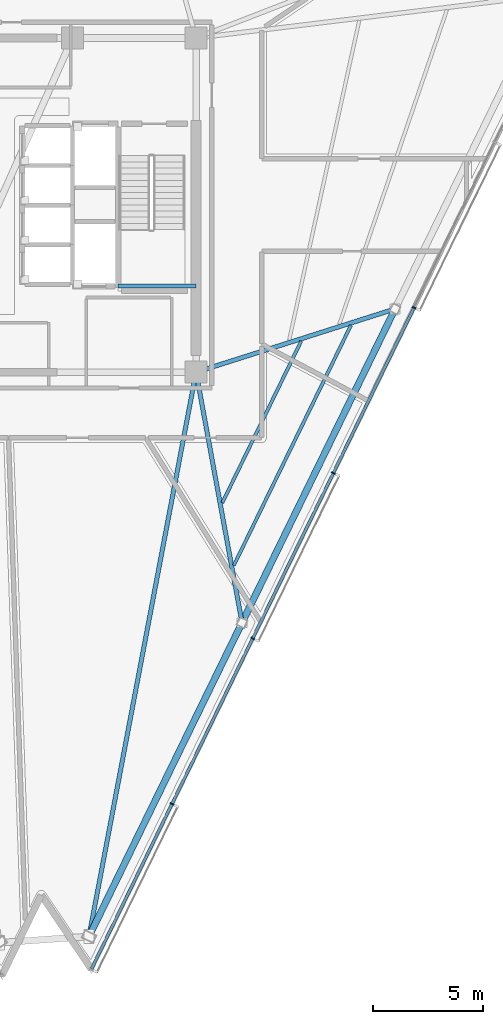
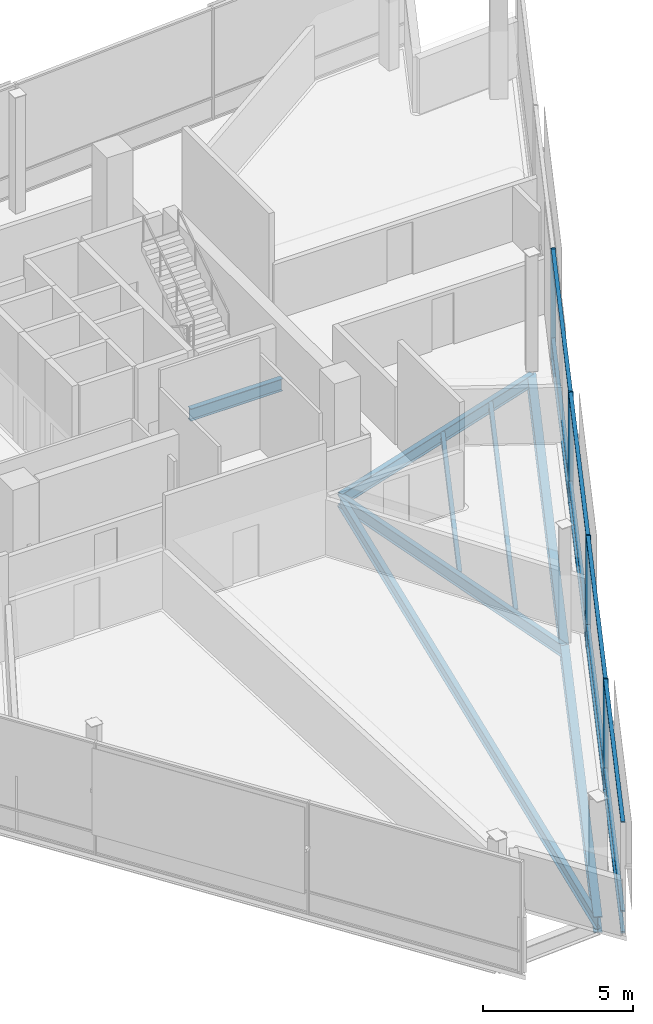
# One storey, part 4 of 16: 16 members, 8 beams, 1 element without a shape of its own.
"""IFC4 building model written with IfcOpenShell, lengths in metres."""

from ifc_helpers import new_model, si_unit, direction, frame, origin, origin_2d, place, context, subcontext, project, spatial, rectangle, i_section, extrude, material, layer, layer_set, material_profile, profile_set, type_object, element, aggregate, save


model = new_model("IFC4")

# Units and contexts
model_context = context("Model", 3, precision=1e-05, world=origin(), true_north=direction((0.0, 1.0)))
body_context = subcontext(model_context, "Body", "Model", "MODEL_VIEW")
ifc_project = project(units=[si_unit("LENGTHUNIT", "METRE"), si_unit("AREAUNIT", "SQUARE_METRE"), si_unit("VOLUMEUNIT", "CUBIC_METRE"), si_unit("PLANEANGLEUNIT", "RADIAN"), si_unit("MASSUNIT", "GRAM", prefix="KILO")], contexts=[model_context])

# Site, building, storey
site_placement = place(None, origin())
site = spatial("IfcSite", under=ifc_project, at=site_placement, CompositionType="ELEMENT")
building_placement = place(site_placement, origin())
building = spatial("IfcBuilding", under=site, at=building_placement, Name="Tharavind Bronze Gate", CompositionType="ELEMENT")
storey_placement = place(building_placement, frame((0.0, 0.0, 275.0)))
storey = spatial("IfcBuildingStorey", under=building, at=storey_placement, Name="L71", CompositionType="ELEMENT", Elevation=275.0)

# Curtain wall, members
ifc_material_1 = material(Name="Anodised Bronze Aluminium", Category="aluminium")
ifc_layer = layer(ifc_material_1, 0.219970703125)
ifc_layer_set = layer_set([ifc_layer], Name="Anodised Bronze Aluminium")
curtain_wall_type = type_object("IfcCurtainWallType", Name="UNITISED CURTAIN WALL UPPER OFFICE", PredefinedType="USERDEFINED", material=ifc_layer_set)
curtain_wall_placement = place(storey_placement, origin())
curtain_wall = element("IfcCurtainWall", 1, at=curtain_wall_placement, inside=storey, type_object=curtain_wall_type, Name="L71 unitised curtain wall upper office CW-L71-S2", ObjectType="UNITISED CURTAIN WALL", PredefinedType="USERDEFINED")
member_type_1 = type_object("IfcMemberType", Name="CURTAIN WALL BRONZE MULLION 65X180", PredefinedType="MULLION", material=ifc_material_1)
member_1_placement = place(storey_placement, frame((7.80419921875, -27.236572265625, 0.0), z_axis=(0.0, 0.0, 1.0), x_axis=(0.43837271548, 0.898793281196, 0.0)))
member_1 = element("IfcMember", 2, at=member_1_placement, type_object=member_type_1, Name="CW-L71-S2 mullion 2", PredefinedType="MULLION", context=body_context, shape_type="SweptSolid", body=[
    extrude(rectangle(XDim=0.06494140625, YDim=0.179931640625, at=origin_2d()), origin(), (0.0, 0.0, 1.0), 4.56005859375),
])
member_2_placement = place(storey_placement, frame((11.474365234375, -19.711669921875, 0.0), z_axis=(0.0, 0.0, 1.0), x_axis=(0.43837271548, 0.898793281196, 0.0)))
member_2 = element("IfcMember", 3, at=member_2_placement, type_object=member_type_1, Name="CW-L71-S2 mullion 3", PredefinedType="MULLION", context=body_context, shape_type="SweptSolid", body=[
    extrude(rectangle(XDim=0.06494140625, YDim=0.179931640625, at=origin_2d()), origin(), (0.0, 0.0, 1.0), 4.56005859375),
])
member_3_placement = place(storey_placement, frame((15.144775390625, -12.1865234375, 0.0), z_axis=(0.0, 0.0, 1.0), x_axis=(0.43837271548, 0.898793281196, 0.0)))
member_3 = element("IfcMember", 4, at=member_3_placement, type_object=member_type_1, Name="CW-L71-S2 mullion 4", PredefinedType="MULLION", context=body_context, shape_type="SweptSolid", body=[
    extrude(rectangle(XDim=0.06494140625, YDim=0.179931640625, at=origin_2d()), origin(), (0.0, 0.0, 1.0), 4.56005859375),
])
member_4_placement = place(storey_placement, frame((18.81494140625, -4.66162109375, 0.0), z_axis=(0.0, 0.0, 1.0), x_axis=(0.43837271548, 0.898793281196, 0.0)))
member_4 = element("IfcMember", 5, at=member_4_placement, type_object=member_type_1, Name="CW-L71-S2 mullion 5", PredefinedType="MULLION", context=body_context, shape_type="SweptSolid", body=[
    extrude(rectangle(XDim=0.06494140625, YDim=0.179931640625, at=origin_2d()), origin(), (0.0, 0.0, 1.0), 4.56005859375),
])
member_type_2 = type_object("IfcMemberType", Name="CURTAIN WALL BRONZE TRANSOM 65X140", PredefinedType="USERDEFINED", material=ifc_material_1)
member_5_placement = place(storey_placement, frame((5.968994140625, -30.9990234375, 0.0), z_axis=(0.0, 0.0, 1.0), x_axis=(0.43837271548, 0.898793281196, 0.0)))
member_5 = element("IfcMember", 6, at=member_5_placement, type_object=member_type_2, Name="CW-L71-S2 transom TB1", ObjectType="TRANSOM", PredefinedType="USERDEFINED", context=body_context, shape_type="SweptSolid", body=[
    extrude(rectangle(XDim=8.3193359375, YDim=0.139892578125, at=origin_2d()), origin(), (0.0, 0.0, 1.0), 0.06494140625),
])
member_6_placement = place(storey_placement, frame((5.968994140625, -30.9990234375, 0.867431640625), z_axis=(0.0, 0.0, 1.0), x_axis=(0.43837271548, 0.898793281196, 0.0)))
member_6 = element("IfcMember", 7, at=member_6_placement, type_object=member_type_2, Name="CW-L71-S2 transom TS1", ObjectType="TRANSOM", PredefinedType="USERDEFINED", context=body_context, shape_type="SweptSolid", body=[
    extrude(rectangle(XDim=8.3193359375, YDim=0.139892578125, at=origin_2d()), origin(), (0.0, 0.0, 1.0), 0.06494140625),
])
member_7_placement = place(storey_placement, frame((5.968994140625, -30.9990234375, 4.4951171875), z_axis=(0.0, 0.0, 1.0), x_axis=(0.43837271548, 0.898793281196, 0.0)))
member_7 = element("IfcMember", 8, at=member_7_placement, type_object=member_type_2, Name="CW-L71-S2 transom TT1", ObjectType="TRANSOM", PredefinedType="USERDEFINED", context=body_context, shape_type="SweptSolid", body=[
    extrude(rectangle(XDim=8.3193359375, YDim=0.139892578125, at=origin_2d()), origin(), (0.0, 0.0, 1.0), 0.06494140625),
])
member_8_placement = place(storey_placement, frame((9.639404296875, -23.47412109375, 0.0), z_axis=(0.0, 0.0, 1.0), x_axis=(0.43837271548, 0.898793281196, 0.0)))
member_8 = element("IfcMember", 9, at=member_8_placement, type_object=member_type_2, Name="CW-L71-S2 transom TB2", ObjectType="TRANSOM", PredefinedType="USERDEFINED", context=body_context, shape_type="SweptSolid", body=[
    extrude(rectangle(XDim=8.3193359375, YDim=0.139892578125, at=origin_2d()), origin(), (0.0, 0.0, 1.0), 0.06494140625),
])
member_9_placement = place(storey_placement, frame((9.639404296875, -23.47412109375, 0.867431640625), z_axis=(0.0, 0.0, 1.0), x_axis=(0.43837271548, 0.898793281196, 0.0)))
member_9 = element("IfcMember", 10, at=member_9_placement, type_object=member_type_2, Name="CW-L71-S2 transom TS2", ObjectType="TRANSOM", PredefinedType="USERDEFINED", context=body_context, shape_type="SweptSolid", body=[
    extrude(rectangle(XDim=8.3193359375, YDim=0.139892578125, at=origin_2d()), origin(), (0.0, 0.0, 1.0), 0.06494140625),
])
member_10_placement = place(storey_placement, frame((9.639404296875, -23.47412109375, 4.4951171875), z_axis=(0.0, 0.0, 1.0), x_axis=(0.43837271548, 0.898793281196, 0.0)))
member_10 = element("IfcMember", 11, at=member_10_placement, type_object=member_type_2, Name="CW-L71-S2 transom TT2", ObjectType="TRANSOM", PredefinedType="USERDEFINED", context=body_context, shape_type="SweptSolid", body=[
    extrude(rectangle(XDim=8.3193359375, YDim=0.139892578125, at=origin_2d()), origin(), (0.0, 0.0, 1.0), 0.06494140625),
])
member_11_placement = place(storey_placement, frame((13.3095703125, -15.94921875, 0.0), z_axis=(0.0, 0.0, 1.0), x_axis=(0.43837271548, 0.898793281196, 0.0)))
member_11 = element("IfcMember", 12, at=member_11_placement, type_object=member_type_2, Name="CW-L71-S2 transom TB3", ObjectType="TRANSOM", PredefinedType="USERDEFINED", context=body_context, shape_type="SweptSolid", body=[
    extrude(rectangle(XDim=8.3193359375, YDim=0.139892578125, at=origin_2d()), origin(), (0.0, 0.0, 1.0), 0.06494140625),
])
member_12_placement = place(storey_placement, frame((13.3095703125, -15.94921875, 0.867431640625), z_axis=(0.0, 0.0, 1.0), x_axis=(0.43837271548, 0.898793281196, 0.0)))
member_12 = element("IfcMember", 13, at=member_12_placement, type_object=member_type_2, Name="CW-L71-S2 transom TS3", ObjectType="TRANSOM", PredefinedType="USERDEFINED", context=body_context, shape_type="SweptSolid", body=[
    extrude(rectangle(XDim=8.3193359375, YDim=0.139892578125, at=origin_2d()), origin(), (0.0, 0.0, 1.0), 0.06494140625),
])
member_13_placement = place(storey_placement, frame((13.3095703125, -15.94921875, 4.4951171875), z_axis=(0.0, 0.0, 1.0), x_axis=(0.43837271548, 0.898793281196, 0.0)))
member_13 = element("IfcMember", 14, at=member_13_placement, type_object=member_type_2, Name="CW-L71-S2 transom TT3", ObjectType="TRANSOM", PredefinedType="USERDEFINED", context=body_context, shape_type="SweptSolid", body=[
    extrude(rectangle(XDim=8.3193359375, YDim=0.139892578125, at=origin_2d()), origin(), (0.0, 0.0, 1.0), 0.06494140625),
])
member_14_placement = place(storey_placement, frame((16.979736328125, -8.424072265625, 0.0), z_axis=(0.0, 0.0, 1.0), x_axis=(0.43837271548, 0.898793281196, 0.0)))
member_14 = element("IfcMember", 15, at=member_14_placement, type_object=member_type_2, Name="CW-L71-S2 transom TB4", ObjectType="TRANSOM", PredefinedType="USERDEFINED", context=body_context, shape_type="SweptSolid", body=[
    extrude(rectangle(XDim=8.3193359375, YDim=0.139892578125, at=origin_2d()), origin(), (0.0, 0.0, 1.0), 0.06494140625),
])
member_15_placement = place(storey_placement, frame((16.979736328125, -8.424072265625, 0.867431640625), z_axis=(0.0, 0.0, 1.0), x_axis=(0.43837271548, 0.898793281196, 0.0)))
member_15 = element("IfcMember", 16, at=member_15_placement, type_object=member_type_2, Name="CW-L71-S2 transom TS4", ObjectType="TRANSOM", PredefinedType="USERDEFINED", context=body_context, shape_type="SweptSolid", body=[
    extrude(rectangle(XDim=8.3193359375, YDim=0.139892578125, at=origin_2d()), origin(), (0.0, 0.0, 1.0), 0.06494140625),
])
member_16_placement = place(storey_placement, frame((16.979736328125, -8.424072265625, 4.4951171875), z_axis=(0.0, 0.0, 1.0), x_axis=(0.43837271548, 0.898793281196, 0.0)))
member_16 = element("IfcMember", 17, at=member_16_placement, type_object=member_type_2, Name="CW-L71-S2 transom TT4", ObjectType="TRANSOM", PredefinedType="USERDEFINED", context=body_context, shape_type="SweptSolid", body=[
    extrude(rectangle(XDim=8.3193359375, YDim=0.139892578125, at=origin_2d()), origin(), (0.0, 0.0, 1.0), 0.06494140625),
])
aggregate(curtain_wall, [member_1, member_2, member_3, member_4, member_5, member_6, member_7, member_8, member_9, member_10, member_11, member_12, member_13, member_14, member_15, member_16])

# Beams
ifc_material_2 = material(Name="Steel S355", Category="steel")
ifc_material_profile_1 = material_profile(ifc_material_2, i_section(OverallWidth=0.300048828125, OverallDepth=0.64990234375, WebThickness=0.01611328125, FlangeThickness=0.031005859375, at=origin_2d()), Name="HE650B")
ifc_profile_set_1 = profile_set([ifc_material_profile_1], Name="Steel S355")
beam_type_1 = type_object("IfcBeamType", Name="PRIMARY GIRDER HE650B", PredefinedType="USERDEFINED", material=ifc_profile_set_1)
for number, where, z_axis, x_axis, name in (
    (18, (4.029296875, -33.26513671875, -0.5048828125), (0.43838485681, 0.898787359346, 0.0), (-0.898787359346, 0.43838485681, 0.0), "L71 primary girder he650b BM-L71-PRG05"),
    (19, (10.990234375, -18.99365234375, -0.5048828125), (0.438366378116, 0.898796372121, 0.0), (-0.898796372121, 0.438366378116, 0.0), "L71 primary girder he650b BM-L71-PRG06"),
):
    element("IfcBeam", number, at=place(storey_placement, frame(where, z_axis=z_axis, x_axis=x_axis)), inside=storey, type_object=beam_type_1, Name=name, ObjectType="GIRDER", PredefinedType="USERDEFINED", context=body_context, shape_type="SweptSolid", body=[
        extrude(i_section(OverallWidth=0.300048828125, OverallDepth=0.64990234375, WebThickness=0.01611328125, FlangeThickness=0.031005859375, at=origin_2d()), origin(), (0.0, 0.0, 1.0), 15.878662109375),
    ])
ifc_material_profile_2 = material_profile(ifc_material_2, i_section(OverallWidth=0.199951171875, OverallDepth=0.5, WebThickness=0.01025390625, FlangeThickness=0.01611328125, at=origin_2d()), Name="IPE500")
ifc_profile_set_2 = profile_set([ifc_material_profile_2], Name="Steel S355")
beam_type_2 = type_object("IfcBeamType", Name="PRIMARY GIRDER IPE500", PredefinedType="USERDEFINED", material=ifc_profile_set_2)
beam_1_placement = place(storey_placement, frame((5.35009765625, -3.679931640625, 1.925048828125), z_axis=(1.0, 0.0, 0.0), x_axis=(0.0, 1.0, 0.0)))
element("IfcBeam", 20, at=beam_1_placement, inside=storey, type_object=beam_type_2, Name="L71 primary girder ipe500 BM-LD-ST2-L71-1", ObjectType="GIRDER", PredefinedType="USERDEFINED", context=body_context, shape_type="SweptSolid", body=[
    extrude(i_section(OverallWidth=0.199951171875, OverallDepth=0.5, WebThickness=0.01025390625, FlangeThickness=0.01611328125, at=origin_2d()), origin(), (0.0, 0.0, 1.0), 3.5498046875),
])
beam_2_placement = place(storey_placement, frame((4.029296875, -33.26513671875, -0.429931640625), z_axis=(0.186448126873, 0.982464806487, 0.0), x_axis=(-0.982464806487, 0.186448126873, 0.0)))
element("IfcBeam", 21, at=beam_2_placement, inside=storey, type_object=beam_type_2, Name="L71 primary girder ipe500 BM-L71-RAD05", ObjectType="GIRDER", PredefinedType="USERDEFINED", context=body_context, shape_type="SweptSolid", body=[
    extrude(i_section(OverallWidth=0.199951171875, OverallDepth=0.5, WebThickness=0.01025390625, FlangeThickness=0.01611328125, at=origin_2d()), origin(), (0.0, 0.0, 1.0), 26.123046875),
])
beam_3_placement = place(storey_placement, frame((10.990234375, -18.99365234375, -0.429931640625), z_axis=(-0.180454290484, 0.98358337168, 0.0), x_axis=(-0.98358337168, -0.180454290484, 0.0)))
element("IfcBeam", 22, at=beam_3_placement, inside=storey, type_object=beam_type_2, Name="L71 primary girder ipe500 BM-L71-RAD06", ObjectType="GIRDER", PredefinedType="USERDEFINED", context=body_context, shape_type="SweptSolid", body=[
    extrude(i_section(OverallWidth=0.199951171875, OverallDepth=0.5, WebThickness=0.01025390625, FlangeThickness=0.01611328125, at=origin_2d()), origin(), (0.0, 0.0, 1.0), 11.583740234375),
])
beam_4_placement = place(storey_placement, frame((17.950927734375, -4.721923828125, -0.429931640625), z_axis=(-0.952977418186, -0.303041318021, 0.0), x_axis=(0.303041318021, -0.952977418186, 0.0)))
element("IfcBeam", 23, at=beam_4_placement, inside=storey, type_object=beam_type_2, Name="L71 primary girder ipe500 BM-L71-RAD07", ObjectType="GIRDER", PredefinedType="USERDEFINED", context=body_context, shape_type="SweptSolid", body=[
    extrude(i_section(OverallWidth=0.199951171875, OverallDepth=0.5, WebThickness=0.01025390625, FlangeThickness=0.01611328125, at=origin_2d()), origin(), (0.0, 0.0, 1.0), 9.49755859375),
])
ifc_material_profile_3 = material_profile(ifc_material_2, i_section(OverallWidth=0.14990234375, OverallDepth=0.300048828125, WebThickness=0.007080078125, FlangeThickness=0.0107421875, at=origin_2d()), Name="IPE300")
ifc_profile_set_3 = profile_set([ifc_material_profile_3], Name="Steel S355")
beam_type_3 = type_object("IfcBeamType", Name="SECONDARY FLOOR JOIST IPE300", PredefinedType="JOIST", material=ifc_profile_set_3)
beam_5_placement = place(storey_placement, frame((10.093994140625, -13.54052734375, -0.330078125), z_axis=(0.438357774769, 0.898800568146, 0.0), x_axis=(-0.898800568146, 0.438357774769, 0.0)))
element("IfcBeam", 24, at=beam_5_placement, inside=storey, type_object=beam_type_3, Name="L71 secondary floor joist ipe300 BM-L71-JSTA06", PredefinedType="JOIST", context=body_context, shape_type="SweptSolid", body=[
    extrude(i_section(OverallWidth=0.14990234375, OverallDepth=0.300048828125, WebThickness=0.007080078125, FlangeThickness=0.0107421875, at=origin_2d()), origin(), (0.0, 0.0, 1.0), 8.180419921875),
])
beam_6_placement = place(storey_placement, frame((10.616455078125, -16.388916015625, -0.330078125), z_axis=(0.438366623032, 0.898796252669, 0.0), x_axis=(-0.898796252669, 0.438366623032, 0.0)))
element("IfcBeam", 25, at=beam_6_placement, inside=storey, type_object=beam_type_3, Name="L71 secondary floor joist ipe300 BM-L71-JSTB06", PredefinedType="JOIST", context=body_context, shape_type="SweptSolid", body=[
    extrude(i_section(OverallWidth=0.14990234375, OverallDepth=0.300048828125, WebThickness=0.007080078125, FlangeThickness=0.0107421875, at=origin_2d()), origin(), (0.0, 0.0, 1.0), 12.150146484375),
])

save(model, "model.ifc")
